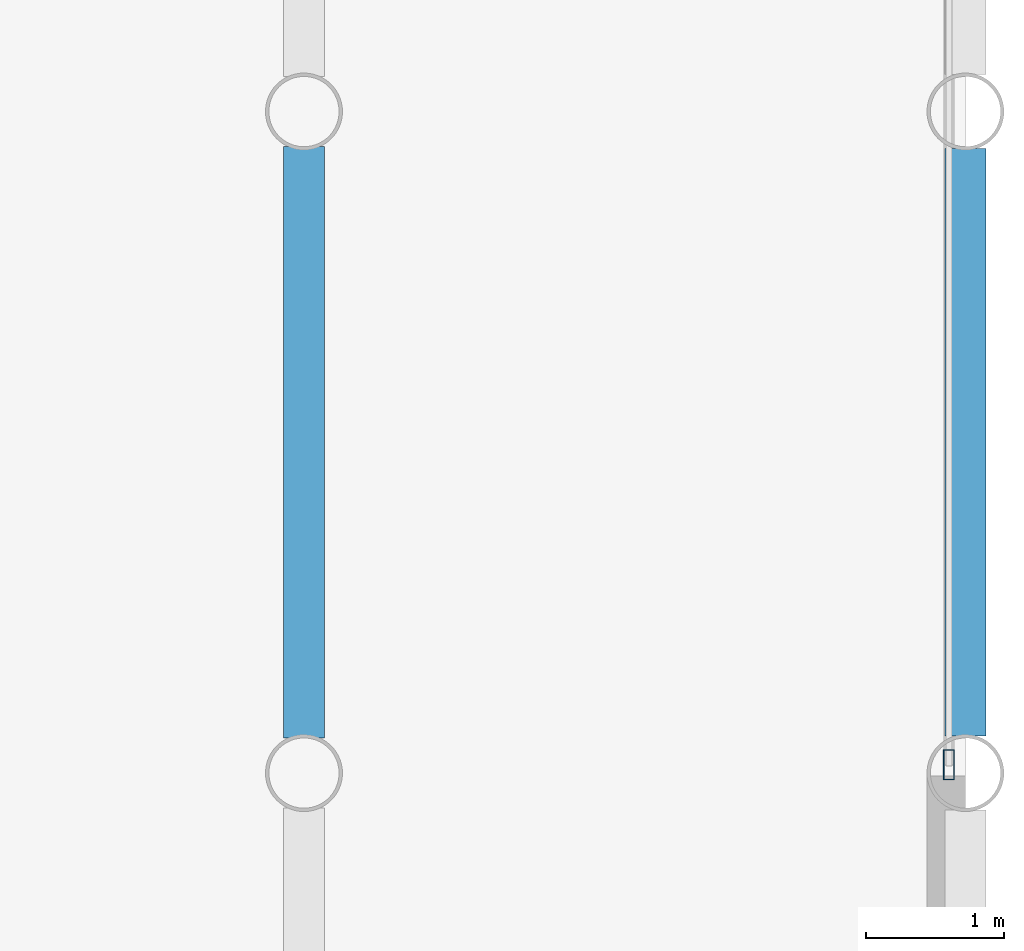
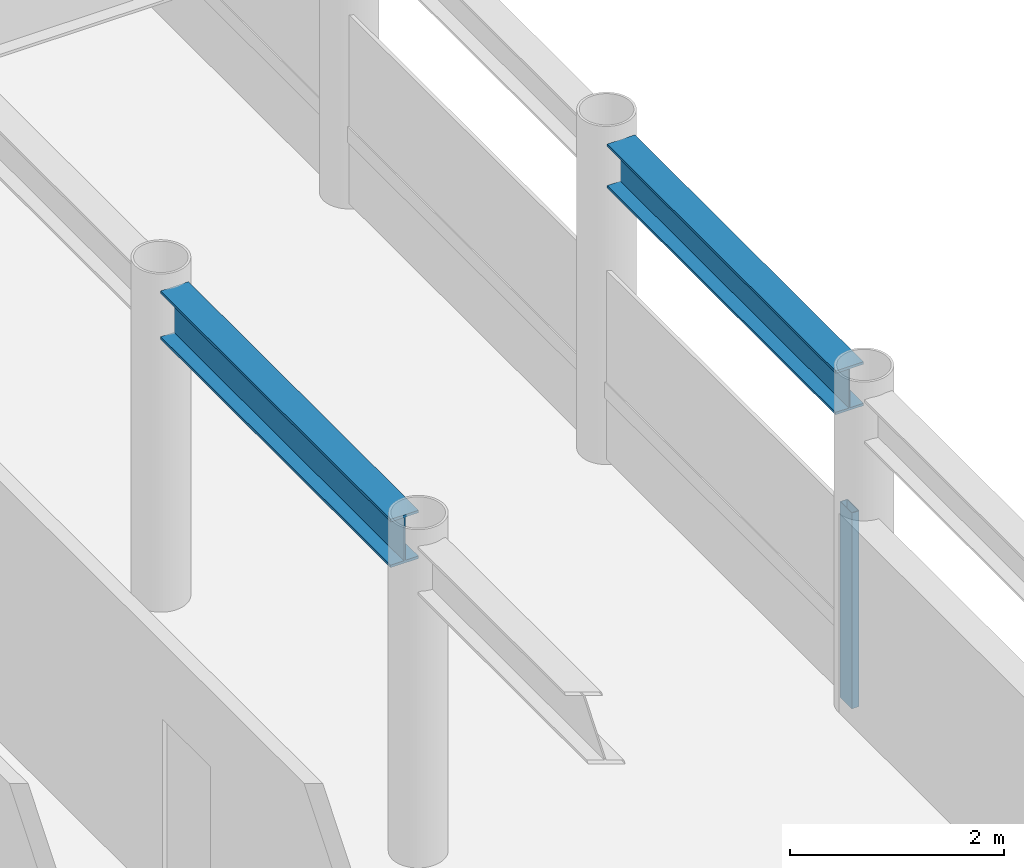
# One storey, part 10 of 23: 2 beams, 1 member, 1 element without a shape of its own.
"""IFC4 building model written with IfcOpenShell, lengths in metres."""

from ifc_helpers import new_model, si_unit, direction, frame, origin, origin_2d, place, context, subcontext, project, spatial, hollow_rectangle, i_section, extrude, material, layer, layer_set, material_profile, profile_set, type_object, element, aggregate, save


model = new_model("IFC4")

# Units and contexts
model_context = context("Model", 3, precision=1e-05, world=origin(), true_north=direction((0.0, 1.0)))
body_context = subcontext(model_context, "Body", "Model", "MODEL_VIEW")
ifc_project = project(units=[si_unit("LENGTHUNIT", "METRE"), si_unit("AREAUNIT", "SQUARE_METRE"), si_unit("VOLUMEUNIT", "CUBIC_METRE"), si_unit("PLANEANGLEUNIT", "RADIAN"), si_unit("MASSUNIT", "GRAM", prefix="KILO")], contexts=[model_context])

# Site, building, storey
site_placement = place(None, origin())
site = spatial("IfcSite", under=ifc_project, at=site_placement, CompositionType="ELEMENT")
building_placement = place(site_placement, origin())
building = spatial("IfcBuilding", under=site, at=building_placement, Name="Kallvorn Hotel Tower", CompositionType="ELEMENT")
storey_placement = place(building_placement, frame((0.0, 0.0, 237.699951171875)))
storey = spatial("IfcBuildingStorey", under=building, at=storey_placement, Name="L59", CompositionType="ELEMENT", Elevation=237.699951171875)

# Beams
ifc_material_1 = material(Name="Structural steel S355JR", Category="steel")
ifc_material_profile_1 = material_profile(ifc_material_1, i_section(OverallWidth=0.300048828125, OverallDepth=0.5, WebThickness=0.014404296875, FlangeThickness=0.028076171875, at=origin_2d()), Name="HE 500 B")
ifc_profile_set_1 = profile_set([ifc_material_profile_1], Name="Structural steel S355JR")
beam_type_1 = type_object("IfcBeamType", Name="BM_HE500B", PredefinedType="SPANDREL", material=ifc_profile_set_1)
beam_1_placement = place(storey_placement, frame((33.60009765625, 0.26953125, 3.420166015625), z_axis=(0.0, 1.0, 0.0), x_axis=(-1.0, 0.0, 0.0)))
element("IfcBeam", 1, at=beam_1_placement, inside=storey, type_object=beam_type_1, Name="L60 Perimeter Spandrel 185", PredefinedType="SPANDREL", context=body_context, shape_type="SweptSolid", body=[
    extrude(i_section(OverallWidth=0.300048828125, OverallDepth=0.5, WebThickness=0.014404296875, FlangeThickness=0.028076171875, at=origin_2d()), origin(), (0.0, 0.0, 1.0), 4.260986328125),
])
ifc_material_2 = material(Name="Structural steel S355JR", Category="steel")
ifc_material_profile_2 = material_profile(ifc_material_2, i_section(OverallWidth=0.300048828125, OverallDepth=0.550048828125, WebThickness=0.014892578125, FlangeThickness=0.029052734375, at=origin_2d()), Name="HE 550 B")
ifc_profile_set_2 = profile_set([ifc_material_profile_2], Name="Structural steel S355JR")
beam_type_2 = type_object("IfcBeamType", Name="BM_HE550B", PredefinedType="SPANDREL", material=ifc_profile_set_2)
beam_2_placement = place(storey_placement, frame((28.800048828125, 0.25439453125, 3.39501953125), z_axis=(0.0, 1.0, 0.0), x_axis=(-1.0, 0.0, 0.0)))
element("IfcBeam", 2, at=beam_2_placement, inside=storey, type_object=beam_type_2, Name="L60 Primary Y-Girder 146", PredefinedType="SPANDREL", context=body_context, shape_type="SweptSolid", body=[
    extrude(i_section(OverallWidth=0.300048828125, OverallDepth=0.550048828125, WebThickness=0.014892578125, FlangeThickness=0.029052734375, at=origin_2d()), origin(), (0.0, 0.0, 1.0), 4.291015625),
])

# Curtain wall, member
ifc_material_3 = material(Name="Thermally broken black-anodised aluminium AA 6063-T6", Category="aluminium")
ifc_layer = layer(ifc_material_3, 0.22998046875)
ifc_layer_set = layer_set([ifc_layer], Name="CW_SYS_5_HOTEL_HIGH")
curtain_wall_type = type_object("IfcCurtainWallType", Name="CW_SYS_5_HOTEL_HIGH", PredefinedType="USERDEFINED", material=ifc_layer_set)
curtain_wall_placement = place(storey_placement, origin())
curtain_wall = element("IfcCurtainWall", 3, at=curtain_wall_placement, inside=storey, type_object=curtain_wall_type, Name="L59 Dark-Glass Curtain Wall CW-L59-EN", ObjectType="UNITISED CURTAIN WALL", PredefinedType="USERDEFINED")
ifc_material_4 = material(Name="Thermally broken black-anodised aluminium AA 6063-T6", Category="aluminium")
ifc_material_profile_3 = material_profile(ifc_material_4, hollow_rectangle(XDim=0.080078125, YDim=0.219970703125, WallThickness=0.0048828125, at=origin_2d()), Name="MUL 220x80")
ifc_profile_set_3 = profile_set([ifc_material_profile_3], Name="Thermally broken black-anodised aluminium AA 6063-T6")
member_type = type_object("IfcMemberType", Name="CW_MULLION_220x80", PredefinedType="MULLION", material=ifc_profile_set_3)
member_placement = place(storey_placement, frame((33.47998046875, 0.06005859375, 0.02001953125), z_axis=(0.0, 0.0, 1.0), x_axis=(1.0, 0.0, 0.0)))
member = element("IfcMember", 4, at=member_placement, type_object=member_type, Name="CW-L59-EN Mullion 00", PredefinedType="MULLION", context=body_context, shape_type="SweptSolid", body=[
    extrude(hollow_rectangle(XDim=0.080078125, YDim=0.219970703125, WallThickness=0.0048828125, at=origin_2d()), origin(), (0.0, 0.0, 1.0), 2.22998046875),
])
aggregate(curtain_wall, [member])

save(model, "model.ifc")
